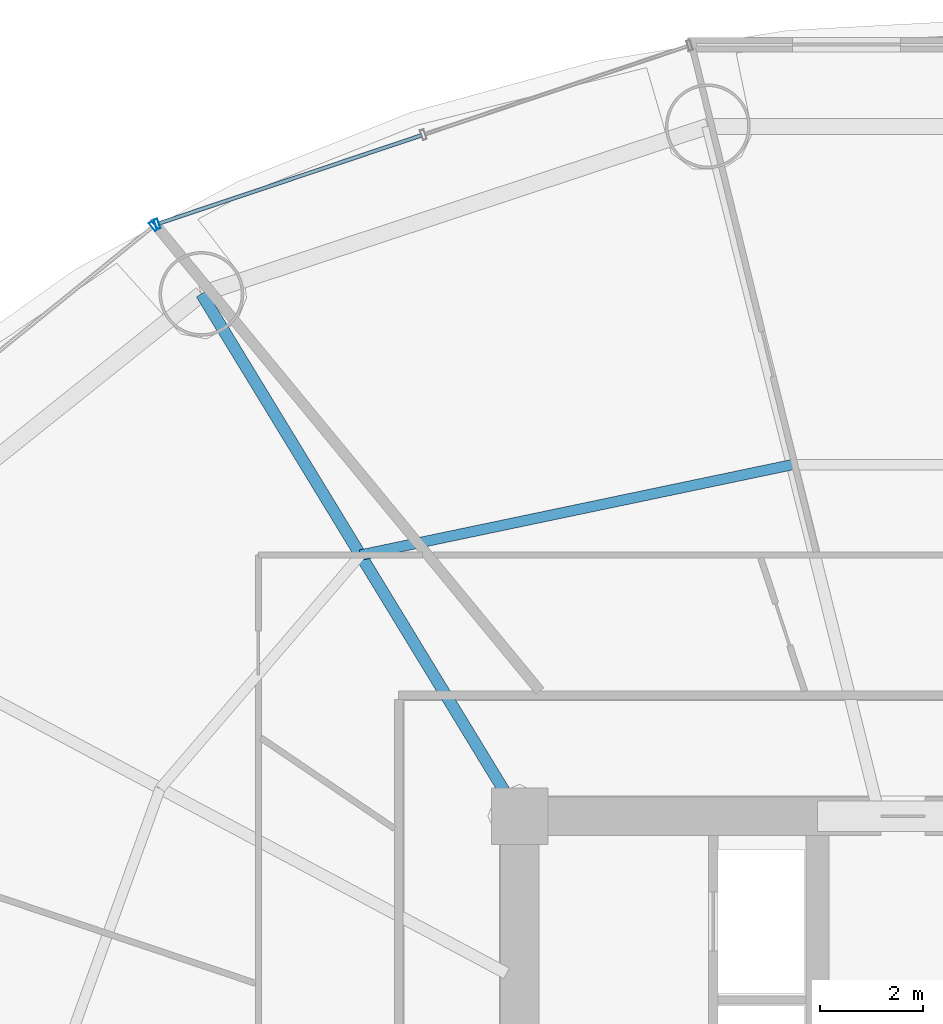
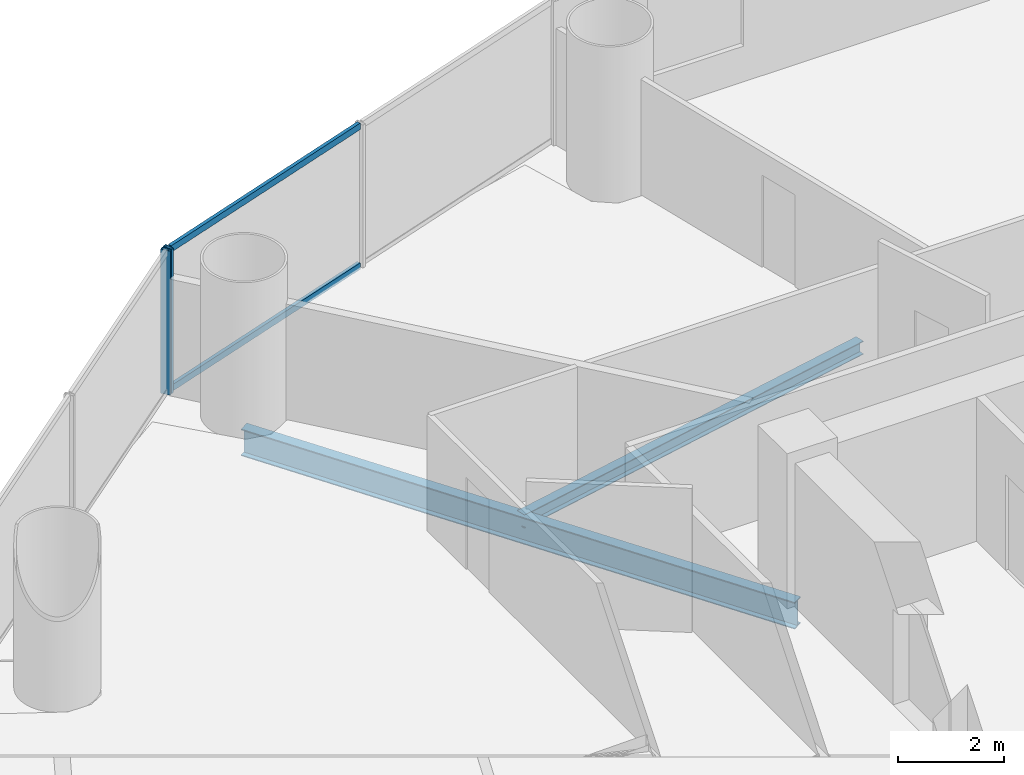
# One storey, part 14 of 28: 4 members, 2 beams, 2 elements without a shape of their own.
"""IFC4 building model written with IfcOpenShell, lengths in metres."""

from ifc_helpers import new_model, si_unit, direction, frame, origin, origin_2d, place, context, subcontext, project, spatial, hollow_rectangle, i_section, extrude, source, transform, mapped, material, material_profile, profile_set, type_object, element, aggregate, save


model = new_model("IFC4")

# Units and contexts
model_context = context("Model", 3, precision=1e-05, world=origin(), true_north=direction((-0.2419218956, 0.970295726276)))
body_context = subcontext(model_context, "Body", "Model", "MODEL_VIEW")
ifc_project = project(units=[si_unit("LENGTHUNIT", "METRE"), si_unit("AREAUNIT", "SQUARE_METRE"), si_unit("VOLUMEUNIT", "CUBIC_METRE"), si_unit("PLANEANGLEUNIT", "RADIAN"), si_unit("MASSUNIT", "GRAM", prefix="KILO")], contexts=[model_context])

# Site, building, storey
site_placement = place(None, origin())
site = spatial("IfcSite", under=ifc_project, at=site_placement, CompositionType="ELEMENT")
building_placement = place(site_placement, origin())
building = spatial("IfcBuilding", under=site, at=building_placement, Name="Cobrevalo Terracotta Tower", CompositionType="ELEMENT")
storey_placement = place(building_placement, frame((0.0, 0.0, 38.39990234375)))
storey = spatial("IfcBuildingStorey", under=building, at=storey_placement, Name="L09", CompositionType="ELEMENT", Elevation=38.39990234375)

# Beams
ifc_material_1 = material(Name="Steel S355", Category="steel")
ifc_material_profile_1 = material_profile(ifc_material_1, i_section(OverallWidth=0.22998046875, OverallDepth=0.616943359375, WebThickness=0.01318359375, FlangeThickness=0.022216796875, at=origin_2d()), Name="W 610x140")
ifc_profile_set_1 = profile_set([ifc_material_profile_1], Name="Steel S355")
beam_type_1 = type_object("IfcBeamType", Name="Structural Beam W 610x140 (Steel S355)", PredefinedType="BEAM", material=ifc_profile_set_1)
beam_1_placement = place(storey_placement, frame((22.80517578125, 44.967529296875, -0.58837890625), z_axis=(0.520309892051, -0.853977526773, 0.0), x_axis=(0.853977526773, 0.520309892051, 0.0)))
element("IfcBeam", 1, at=beam_1_placement, inside=storey, type_object=beam_type_1, Name="L09 radial floor girder 06", PredefinedType="BEAM", context=body_context, shape_type="SweptSolid", body=[
    extrude(i_section(OverallWidth=0.22998046875, OverallDepth=0.616943359375, WebThickness=0.01318359375, FlangeThickness=0.022216796875, at=origin_2d()), origin(), (0.0, 0.0, 1.0), 11.906005859375),
])
ifc_material_profile_2 = material_profile(ifc_material_1, i_section(OverallWidth=0.2041015625, OverallDepth=0.305908203125, WebThickness=0.008544921875, FlangeThickness=0.0146484375, at=origin_2d()), Name="W 310x67")
ifc_profile_set_2 = profile_set([ifc_material_profile_2], Name="Steel S355")
beam_type_2 = type_object("IfcBeamType", Name="Structural Joist W 310x67 (Steel S355)", PredefinedType="JOIST", material=ifc_profile_set_2)
beam_2_placement = place(storey_placement, frame((34.304443359375, 41.642578125, -0.432861328125), z_axis=(-0.978784523904, -0.204892302848, 0.0), x_axis=(0.204892302848, -0.978784523904, 0.0)))
element("IfcBeam", 2, at=beam_2_placement, inside=storey, type_object=beam_type_2, Name="L09 circumferential secondary floor joist 05", PredefinedType="JOIST", context=body_context, shape_type="SweptSolid", body=[
    extrude(i_section(OverallWidth=0.2041015625, OverallDepth=0.305908203125, WebThickness=0.008544921875, FlangeThickness=0.0146484375, at=origin_2d()), origin(), (0.0, 0.0, 1.0), 8.583984375),
])

# Curtain wall, member
ifc_material_2 = material(Name="Anodized aluminium", Category="aluminium")
curtain_wall_type = type_object("IfcCurtainWallType", Name="Lower-tower unitised acoustic low-E curtain wall CW-U1", PredefinedType="NOTDEFINED", material=ifc_material_2)
curtain_wall_1_placement = place(storey_placement, origin())
curtain_wall_1 = element("IfcCurtainWall", 3, at=curtain_wall_1_placement, inside=storey, type_object=curtain_wall_type, Name="L09 curtain wall CW-L09-S05", PredefinedType="NOTDEFINED")
ifc_material_profile_3 = material_profile(ifc_material_2, hollow_rectangle(XDim=0.074951171875, YDim=0.199951171875, WallThickness=0.0048828125, at=origin_2d()), Name="CWM 75x200")
ifc_profile_set_3 = profile_set([ifc_material_profile_3], Name="Anodized aluminium")
member_type_1 = type_object("IfcMemberType", Name="Lower/mid tower unitised mullion 75x200", PredefinedType="MULLION", material=ifc_profile_set_3)
shared_shape_1 = source(origin(), body_context, "Body", "SweptSolid", [
    extrude(hollow_rectangle(XDim=0.074951171875, YDim=0.199951171875, WallThickness=0.0048828125, at=origin_2d()), origin(), (0.0, 0.0, 1.0), 3.320068359375),
])
member_1_placement = place(storey_placement, frame((21.943115234375, 46.327392578125, 0.0), z_axis=(0.0, 0.0, 1.0), x_axis=(-0.948046393597, -0.318132103987, 0.0)))
member_1 = element("IfcMember", 4, at=member_1_placement, type_object=member_type_1, Name="CW-L09-S05 vertical mullion 03", PredefinedType="MULLION", context=body_context, shape_type="MappedRepresentation", body=[
    mapped(shared_shape_1, transform((0.0, 0.0, 0.0), scale=1.0)),
])

curtain_wall_2_placement = place(storey_placement, origin())
curtain_wall_2 = element("IfcCurtainWall", 5, at=curtain_wall_2_placement, inside=storey, type_object=curtain_wall_type, Name="L09 curtain wall CW-L09-S06", PredefinedType="NOTDEFINED")
member_2_placement = place(storey_placement, frame((21.8740234375, 46.289306640625, 0.0), z_axis=(0.0, 0.0, 1.0), x_axis=(-0.777003153187, -0.629496703675, 0.0)))
member_2 = element("IfcMember", 6, at=member_2_placement, type_object=member_type_1, Name="CW-L09-S06 vertical mullion 01", PredefinedType="MULLION", context=body_context, shape_type="MappedRepresentation", body=[
    mapped(shared_shape_1, transform((0.0, 0.0, 0.0), scale=1.0)),
])
aggregate(curtain_wall_2, [member_2])

# Member
ifc_material_profile_4 = material_profile(ifc_material_2, hollow_rectangle(XDim=0.074951171875, YDim=0.14990234375, WallThickness=0.00439453125, at=origin_2d()), Name="CWT 75x150")
ifc_profile_set_4 = profile_set([ifc_material_profile_4], Name="Anodized aluminium")
member_type_2 = type_object("IfcMemberType", Name="Tower unitised aluminium transom 75x150", PredefinedType="USERDEFINED", material=ifc_profile_set_4)
shared_shape_2 = source(origin(), body_context, "Body", "SweptSolid", [
    extrude(hollow_rectangle(XDim=0.074951171875, YDim=0.14990234375, WallThickness=0.00439453125, at=origin_2d()), origin(), (0.0, 0.0, 1.0), 5.387939453125),
])
member_3_placement = place(storey_placement, frame((27.0888671875, 48.05419921875, 0.050048828125), z_axis=(-0.94804244582, -0.318143868278, 0.0), x_axis=(0.318143868278, -0.94804244582, 0.0)))
member_3 = element("IfcMember", 7, at=member_3_placement, type_object=member_type_2, Name="CW-L09-S05 transom B02-T1", ObjectType="TRANSOM", PredefinedType="USERDEFINED", context=body_context, shape_type="MappedRepresentation", body=[
    mapped(shared_shape_2, transform((0.0, 0.0, 0.0), scale=1.0)),
])

member_4_placement = place(storey_placement, frame((27.0888671875, 48.05419921875, 3.27001953125), z_axis=(-0.94804244582, -0.318143868278, 0.0), x_axis=(0.318143868278, -0.94804244582, 0.0)))
member_4 = element("IfcMember", 8, at=member_4_placement, type_object=member_type_2, Name="CW-L09-S05 transom B02-T2", ObjectType="TRANSOM", PredefinedType="USERDEFINED", context=body_context, shape_type="MappedRepresentation", body=[
    mapped(shared_shape_2, transform((0.0, 0.0, 0.0), scale=1.0)),
])

aggregate(curtain_wall_1, [member_1, member_3, member_4])

save(model, "model.ifc")
